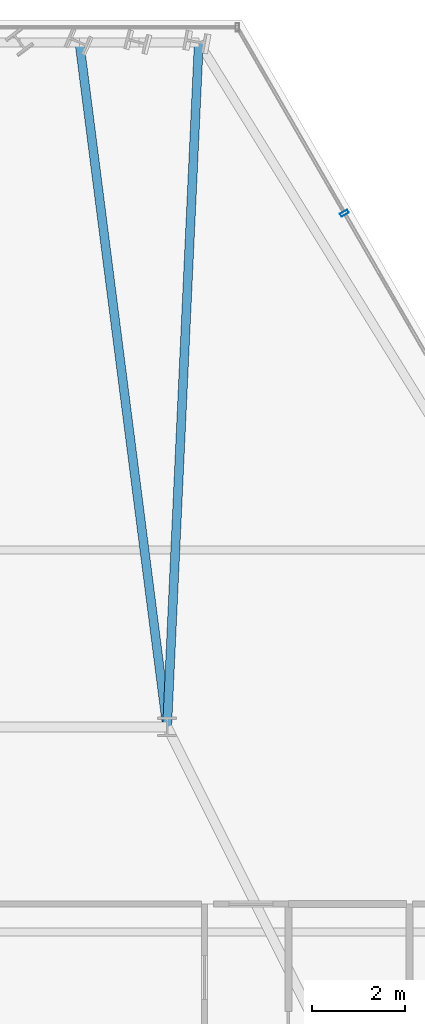
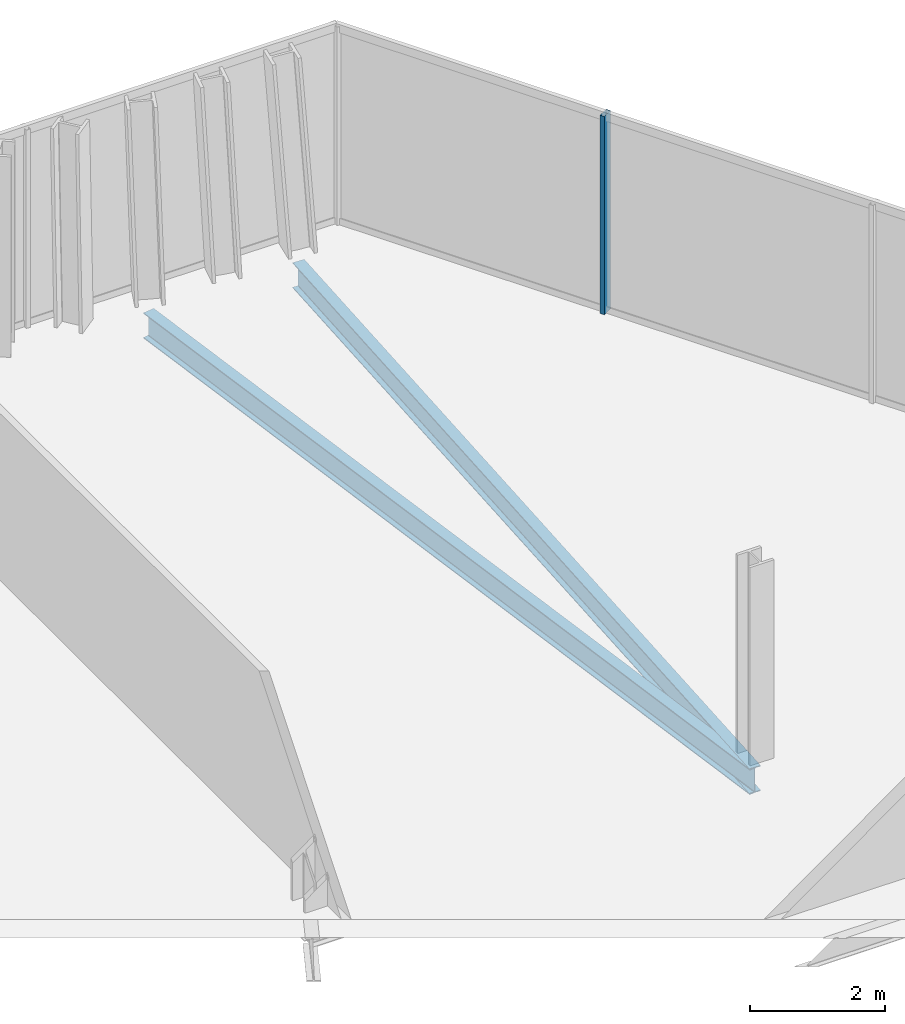
# One storey, part 23 of 33: 2 beams, 1 member, 1 element without a shape of its own.
"""IFC4 building model written with IfcOpenShell, lengths in metres."""

from ifc_helpers import new_model, si_unit, direction, frame, origin, origin_2d, place, context, subcontext, project, spatial, hollow_rectangle, i_section, extrude, material, layer, layer_set, material_profile, profile_set, type_object, element, aggregate, save


model = new_model("IFC4")

# Units and contexts
model_context = context("Model", 3, precision=1e-05, world=origin(), true_north=direction((0.0, 1.0)))
body_context = subcontext(model_context, "Body", "Model", "MODEL_VIEW")
ifc_project = project(units=[si_unit("LENGTHUNIT", "METRE"), si_unit("AREAUNIT", "SQUARE_METRE"), si_unit("VOLUMEUNIT", "CUBIC_METRE"), si_unit("PLANEANGLEUNIT", "RADIAN"), si_unit("MASSUNIT", "GRAM", prefix="KILO")], contexts=[model_context])

# Site, building, storey
site_placement = place(None, origin())
site = spatial("IfcSite", under=ifc_project, at=site_placement, CompositionType="ELEMENT")
building_placement = place(site_placement, origin())
building = spatial("IfcBuilding", under=site, at=building_placement, Name="Ndaravel Arena Tower", CompositionType="ELEMENT")
storey_placement = place(building_placement, frame((0.0, 0.0, 168.800048828125)))
storey = spatial("IfcBuildingStorey", under=building, at=storey_placement, Name="L40", CompositionType="ELEMENT", Elevation=168.800048828125)

# Beams
ifc_material_1 = material(Name="Steel S355", Category="steel")
ifc_material_profile_1 = material_profile(ifc_material_1, i_section(OverallWidth=0.19140625, OverallDepth=0.4599609375, WebThickness=0.010009765625, FlangeThickness=0.01611328125, FilletRadius=0.01025390625, at=origin_2d()), Name="UB 457x191x82")
ifc_profile_set_1 = profile_set([ifc_material_profile_1], Name="Steel S355")
beam_type = type_object("IfcBeamType", Name="BM-GIRD-UB457", PredefinedType="BEAM", material=ifc_profile_set_1)
beam_1_placement = place(storey_placement, frame((46.480224609375, 45.881591796875, -0.449951171875), z_axis=(-0.046278684807, -0.998928567683, 0.0), x_axis=(0.998928567683, -0.046278684807, 0.0)))
element("IfcBeam", 1, at=beam_1_placement, inside=storey, type_object=beam_type, Name="L40 Radial Floor Girder FG-11", PredefinedType="BEAM", context=body_context, shape_type="SweptSolid", body=[
    extrude(i_section(OverallWidth=0.19140625, OverallDepth=0.4599609375, WebThickness=0.010009765625, FlangeThickness=0.01611328125, FilletRadius=0.01025390625, at=origin_2d()), origin(), (0.0, 0.0, 1.0), 14.697509765625),
])
beam_2_placement = place(storey_placement, frame((43.920166015625, 45.881591796875, -0.449951171875), z_axis=(0.127006199429, -0.99190192323, 0.0), x_axis=(0.99190192323, 0.127006199429, 0.0)))
element("IfcBeam", 2, at=beam_2_placement, inside=storey, type_object=beam_type, Name="L40 Radial Floor Girder FG-13", PredefinedType="BEAM", context=body_context, shape_type="SweptSolid", body=[
    extrude(i_section(OverallWidth=0.19140625, OverallDepth=0.4599609375, WebThickness=0.010009765625, FlangeThickness=0.01611328125, FilletRadius=0.01025390625, at=origin_2d()), origin(), (0.0, 0.0, 1.0), 14.801513671875),
])

# Curtain wall, member
ifc_material_2 = material(Name="Aluminium", Category="aluminium")
ifc_layer = layer(ifc_material_2, 0.179931640625)
ifc_layer_set = layer_set([ifc_layer], Name="Aluminium")
curtain_wall_type = type_object("IfcCurtainWallType", Name="CW-SYS-03", PredefinedType="NOTDEFINED", material=ifc_layer_set)
curtain_wall_placement = place(storey_placement, origin())
curtain_wall = element("IfcCurtainWall", 3, at=curtain_wall_placement, inside=storey, type_object=curtain_wall_type, Name="L40 Faceted Crystal Curtain Wall CW-L40-E03", PredefinedType="NOTDEFINED")
ifc_material_3 = material(Name="Aluminium", Category="aluminium")
ifc_material_profile_2 = material_profile(ifc_material_3, hollow_rectangle(XDim=0.074951171875, YDim=0.179931640625, WallThickness=0.00390625, at=origin_2d()), Name="CW MULLION 75x180x4")
ifc_profile_set_2 = profile_set([ifc_material_profile_2], Name="Aluminium")
member_type = type_object("IfcMemberType", Name="MEM-CW-MUL180", PredefinedType="MULLION", material=ifc_profile_set_2)
member_placement = place(storey_placement, frame((49.603759765625, 42.219970703125, 0.0), z_axis=(0.0, 0.0, 1.0), x_axis=(-0.5, 0.866025403784, 0.0)))
member = element("IfcMember", 4, at=member_placement, type_object=member_type, Name="CW-L40-E03 Mullion 07", PredefinedType="MULLION", context=body_context, shape_type="SweptSolid", body=[
    extrude(hollow_rectangle(XDim=0.074951171875, YDim=0.179931640625, WallThickness=0.00390625, at=origin_2d()), origin(), (0.0, 0.0, 1.0), 3.579833984375),
])
aggregate(curtain_wall, [member])

save(model, "model.ifc")
